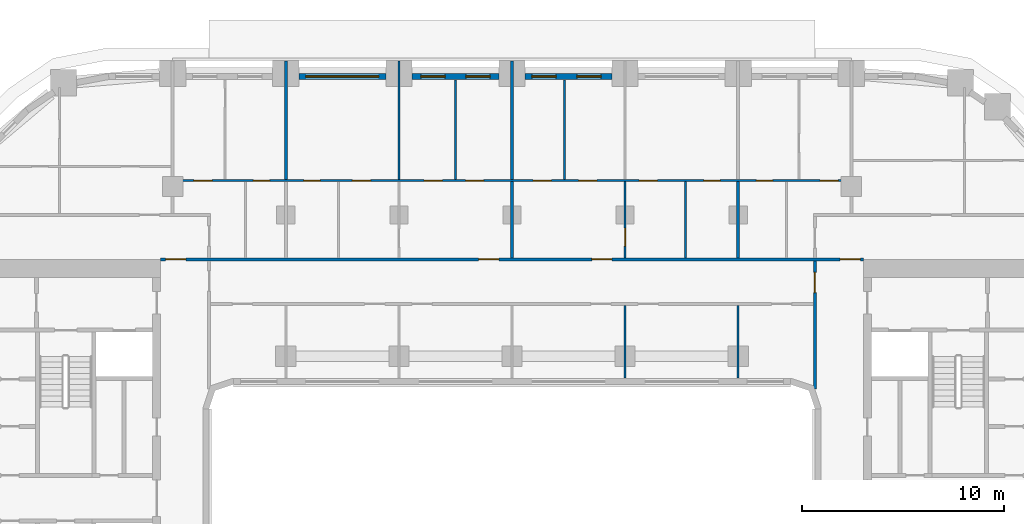
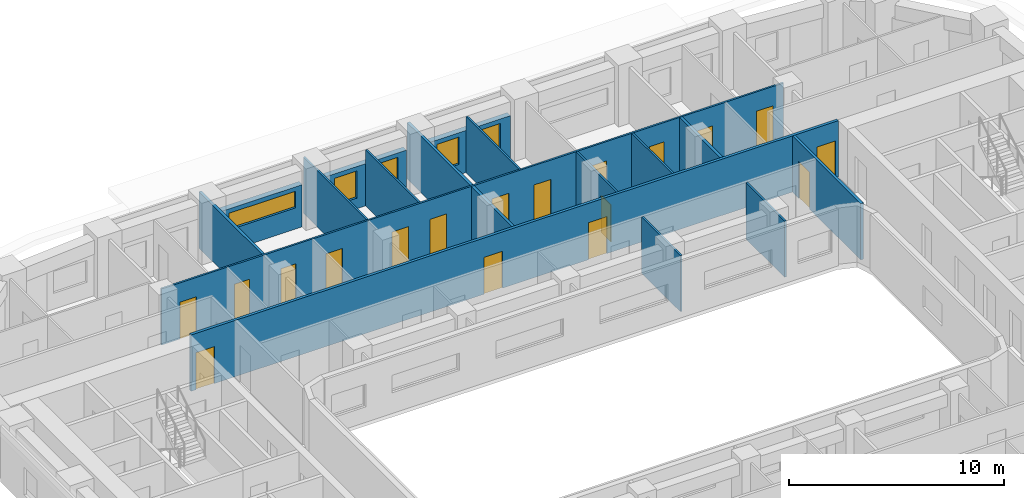
# One storey, part 9 of 23: 18 doors, 17 walls, 5 windows, 23 openings.
"""IFC4 building model written with IfcOpenShell, lengths in metres."""

from ifc_helpers import new_model, si_unit, direction, frame, frame_2d, origin, place, context, subcontext, project, spatial, rectangle, extrude, material, layer, layer_set, type_object, element, fill, save


model = new_model("IFC4")

# Units and contexts
model_context = context("Model", 3, precision=1e-05, world=origin(), true_north=direction((0.0, 1.0)))
body_context = subcontext(model_context, "Body", "Model", "MODEL_VIEW")
ifc_project = project(units=[si_unit("LENGTHUNIT", "METRE"), si_unit("AREAUNIT", "SQUARE_METRE"), si_unit("VOLUMEUNIT", "CUBIC_METRE"), si_unit("PLANEANGLEUNIT", "RADIAN"), si_unit("MASSUNIT", "GRAM", prefix="KILO")], contexts=[model_context])

# Site, building, storey
site_placement = place(None, origin())
site = spatial("IfcSite", under=ifc_project, at=site_placement, CompositionType="ELEMENT")
building_placement = place(site_placement, origin())
building = spatial("IfcBuilding", under=site, at=building_placement, Name="Kiln Ring Residences", CompositionType="ELEMENT")
storey_placement = place(building_placement, frame((0.0, 0.0, 86.800048828125)))
storey = spatial("IfcBuildingStorey", under=building, at=storey_placement, Name="L21", CompositionType="ELEMENT", Elevation=86.800048828125)

# Wall, openings, windows
ifc_material_1 = material(Name="Brick masonry, dark clay brick", Category="masonry")
ifc_layer_1 = layer(ifc_material_1, 0.300048828125)
ifc_layer_set_1 = layer_set([ifc_layer_1], Name="EW-300 BRICK WALL")
wall_type_1 = type_object("IfcWallType", Name="EW-300 BRICK WALL", PredefinedType="SOLIDWALL", material=ifc_layer_set_1)
wall_1_placement = place(storey_placement, frame((4.949951171875, 22.25, 0.0), z_axis=(0.0, 0.0, 1.0), x_axis=(-1.0, 0.0, 0.0)))
wall_1 = element("IfcWall", 1, at=wall_1_placement, inside=storey, type_object=wall_type_1, Name="Facade wall L21 31", PredefinedType="SOLIDWALL", context=body_context, shape_type="SweptSolid", body=[
    extrude(rectangle(XDim=4.300048828125, YDim=0.300048828125, at=frame_2d((2.14990234375, 0.0))), origin(), (0.0, 0.0, 1.0), 2.39990234375),
])
opening_1_placement = place(wall_1_placement, frame((0.53759765625, 0.0, 0.60009765625)))
opening_1 = element("IfcOpeningElement", 2, at=opening_1_placement, cuts=wall_1, Name="Opening W1", PredefinedType="OPENING", context=body_context, shape_type="SweptSolid", body=[
    extrude(rectangle(XDim=1.199951171875, YDim=1.550048828125, at=frame_2d((0.60009765625, 0.77490234375))), frame((0.0, 0.159912109375, 0.0), z_axis=(0.0, -1.0, 0.0), x_axis=(1.0, 0.0, 0.0)), (0.0, 0.0, 1.0), 0.320068359375),
])
opening_2_placement = place(wall_1_placement, frame((2.762451171875, 0.0, 0.60009765625)))
opening_2 = element("IfcOpeningElement", 3, at=opening_2_placement, cuts=wall_1, Name="Opening W1", PredefinedType="OPENING", context=body_context, shape_type="SweptSolid", body=[
    extrude(rectangle(XDim=1.199951171875, YDim=1.550048828125, at=frame_2d((0.60009765625, 0.77490234375))), frame((0.0, 0.159912109375, 0.0), z_axis=(0.0, -1.0, 0.0), x_axis=(1.0, 0.0, 0.0)), (0.0, 0.0, 1.0), 0.320068359375),
])
ifc_material_2 = material(Name="Aluminium frame with double glazing", Category="aluminium")
window_type_1 = type_object("IfcWindowType", Name="WINDOW 1200 x 1550", PartitioningType="SINGLE_PANEL", PredefinedType="WINDOW", material=ifc_material_2)
window_1_placement = place(opening_1_placement, origin())
window_1 = element("IfcWindow", 4, at=window_1_placement, inside=storey, type_object=window_type_1, Name="Window L21 20", OverallHeight=1.550048828125, OverallWidth=1.199951171875, PartitioningType="SINGLE_PANEL", PredefinedType="WINDOW", context=body_context, shape_type="SweptSolid", body=[
    extrude(rectangle(XDim=1.199951171875, YDim=1.550048828125, at=frame_2d((0.60009765625, 0.77490234375))), frame((0.0, 0.030029296875, 0.0), z_axis=(0.0, -1.0, 0.0), x_axis=(1.0, 0.0, 0.0)), (0.0, 0.0, 1.0), 0.06005859375),
])
fill(opening_1, window_1)
window_2_placement = place(opening_2_placement, origin())
window_2 = element("IfcWindow", 5, at=window_2_placement, inside=storey, type_object=window_type_1, Name="Window L21 21", OverallHeight=1.550048828125, OverallWidth=1.199951171875, PartitioningType="SINGLE_PANEL", PredefinedType="WINDOW", context=body_context, shape_type="SweptSolid", body=[
    extrude(rectangle(XDim=1.199951171875, YDim=1.550048828125, at=frame_2d((0.60009765625, 0.77490234375))), frame((0.0, 0.030029296875, 0.0), z_axis=(0.0, -1.0, 0.0), x_axis=(1.0, 0.0, 0.0)), (0.0, 0.0, 1.0), 0.06005859375),
])
fill(opening_2, window_2)

wall_2_placement = place(storey_placement, frame((-0.64990234375, 22.25, 0.0), z_axis=(0.0, 0.0, 1.0), x_axis=(-1.0, 0.0, 0.0)))
wall_2 = element("IfcWall", 6, at=wall_2_placement, inside=storey, type_object=wall_type_1, Name="Facade wall L21 32", PredefinedType="SOLIDWALL", context=body_context, shape_type="SweptSolid", body=[
    extrude(rectangle(XDim=4.300048828125, YDim=0.300048828125, at=frame_2d((2.14990234375, 0.0))), origin(), (0.0, 0.0, 1.0), 2.39990234375),
])
opening_3_placement = place(wall_2_placement, frame((0.4375, 0.0, 0.60009765625)))
opening_3 = element("IfcOpeningElement", 7, at=opening_3_placement, cuts=wall_2, Name="Opening W1", PredefinedType="OPENING", context=body_context, shape_type="SweptSolid", body=[
    extrude(rectangle(XDim=1.199951171875, YDim=1.550048828125, at=frame_2d((0.60009765625, 0.77490234375))), frame((0.0, 0.159912109375, 0.0), z_axis=(0.0, -1.0, 0.0), x_axis=(1.0, 0.0, 0.0)), (0.0, 0.0, 1.0), 0.320068359375),
])
opening_4_placement = place(wall_2_placement, frame((2.66259765625, 0.0, 0.60009765625)))
opening_4 = element("IfcOpeningElement", 8, at=opening_4_placement, cuts=wall_2, Name="Opening W1", PredefinedType="OPENING", context=body_context, shape_type="SweptSolid", body=[
    extrude(rectangle(XDim=1.199951171875, YDim=1.550048828125, at=frame_2d((0.60009765625, 0.77490234375))), frame((0.0, 0.159912109375, 0.0), z_axis=(0.0, -1.0, 0.0), x_axis=(1.0, 0.0, 0.0)), (0.0, 0.0, 1.0), 0.320068359375),
])
window_3_placement = place(opening_3_placement, origin())
window_3 = element("IfcWindow", 9, at=window_3_placement, inside=storey, type_object=window_type_1, Name="Window L21 22", OverallHeight=1.550048828125, OverallWidth=1.199951171875, PartitioningType="SINGLE_PANEL", PredefinedType="WINDOW", context=body_context, shape_type="SweptSolid", body=[
    extrude(rectangle(XDim=1.199951171875, YDim=1.550048828125, at=frame_2d((0.60009765625, 0.77490234375))), frame((0.0, 0.030029296875, 0.0), z_axis=(0.0, -1.0, 0.0), x_axis=(1.0, 0.0, 0.0)), (0.0, 0.0, 1.0), 0.06005859375),
])
fill(opening_3, window_3)
window_4_placement = place(opening_4_placement, origin())
window_4 = element("IfcWindow", 10, at=window_4_placement, inside=storey, type_object=window_type_1, Name="Window L21 23", OverallHeight=1.550048828125, OverallWidth=1.199951171875, PartitioningType="SINGLE_PANEL", PredefinedType="WINDOW", context=body_context, shape_type="SweptSolid", body=[
    extrude(rectangle(XDim=1.199951171875, YDim=1.550048828125, at=frame_2d((0.60009765625, 0.77490234375))), frame((0.0, 0.030029296875, 0.0), z_axis=(0.0, -1.0, 0.0), x_axis=(1.0, 0.0, 0.0)), (0.0, 0.0, 1.0), 0.06005859375),
])
fill(opening_4, window_4)

# Wall, opening, window
wall_3_placement = place(storey_placement, frame((-6.25, 22.25, 0.0), z_axis=(0.0, 0.0, 1.0), x_axis=(-1.0, 0.0, 0.0)))
wall_3 = element("IfcWall", 11, at=wall_3_placement, inside=storey, type_object=wall_type_1, Name="Facade wall L21 33", PredefinedType="SOLIDWALL", context=body_context, shape_type="SweptSolid", body=[
    extrude(rectangle(XDim=4.300048828125, YDim=0.300048828125, at=frame_2d((2.14990234375, 0.0))), origin(), (0.0, 0.0, 1.0), 2.39990234375),
])
opening_5_placement = place(wall_3_placement, frame((0.35009765625, 0.0, 1.199951171875)))
opening_5 = element("IfcOpeningElement", 12, at=opening_5_placement, cuts=wall_3, Name="Opening W4", PredefinedType="OPENING", context=body_context, shape_type="SweptSolid", body=[
    extrude(rectangle(XDim=3.60009765625, YDim=0.949951171875, at=frame_2d((1.800048828125, 0.47509765625))), frame((0.0, 0.159912109375, 0.0), z_axis=(0.0, -1.0, 0.0), x_axis=(1.0, 0.0, 0.0)), (0.0, 0.0, 1.0), 0.320068359375),
])
ifc_material_3 = material(Name="Aluminium frame with double glazing", Category="aluminium")
window_type_2 = type_object("IfcWindowType", Name="WINDOW 3600 x 950", PartitioningType="SINGLE_PANEL", PredefinedType="WINDOW", material=ifc_material_3)
window_5_placement = place(opening_5_placement, origin())
window_5 = element("IfcWindow", 13, at=window_5_placement, inside=storey, type_object=window_type_2, Name="Window L21 24", OverallHeight=0.949951171875, OverallWidth=3.60009765625, PartitioningType="SINGLE_PANEL", PredefinedType="WINDOW", context=body_context, shape_type="SweptSolid", body=[
    extrude(rectangle(XDim=3.60009765625, YDim=0.949951171875, at=frame_2d((1.800048828125, 0.47509765625))), frame((0.0, 0.030029296875, 0.0), z_axis=(0.0, -1.0, 0.0), x_axis=(1.0, 0.0, 0.0)), (0.0, 0.0, 1.0), 0.06005859375),
])
fill(opening_5, window_5)

# Wall, openings, doors
ifc_material_4 = material(Name="Gypsum board on steel studs", Category="steel")
ifc_layer_2 = layer(ifc_material_4, 0.10009765625)
ifc_layer_set_2 = layer_set([ifc_layer_2], Name="PARTITION-100")
wall_type_2 = type_object("IfcWallType", Name="PARTITION-100", PredefinedType="PARTITIONING", material=ifc_layer_set_2)
wall_4_placement = place(storey_placement, frame((-16.72509765625, 17.10009765625, 0.0), z_axis=(0.0, 0.0, 1.0), x_axis=(1.0, 0.0, 0.0)))
wall_4 = element("IfcWall", 14, at=wall_4_placement, inside=storey, type_object=wall_type_2, Name="Partition 011", PredefinedType="PARTITIONING", context=body_context, shape_type="SweptSolid", body=[
    extrude(rectangle(XDim=33.4501953125, YDim=0.10009765625, at=frame_2d((16.72509765625, 0.0))), origin(), (0.0, 0.0, 1.0), 3.199951171875),
])
opening_6_placement = place(wall_4_placement, frame((3.925048828125, 0.0, 0.0)))
opening_6 = element("IfcOpeningElement", 15, at=opening_6_placement, cuts=wall_4, Name="Opening L21-D016", PredefinedType="OPENING", context=body_context, shape_type="SweptSolid", body=[
    extrude(rectangle(XDim=0.800048828125, YDim=2.10009765625, at=frame_2d((0.39990234375, 1.050048828125))), frame((0.0, 0.06005859375, 0.0), z_axis=(0.0, -1.0, 0.0), x_axis=(1.0, 0.0, 0.0)), (0.0, 0.0, 1.0), 0.1201171875),
])
opening_7_placement = place(wall_4_placement, frame((0.97509765625, 0.0, 0.0)))
opening_7 = element("IfcOpeningElement", 16, at=opening_7_placement, cuts=wall_4, Name="Opening L21-D017", PredefinedType="OPENING", context=body_context, shape_type="SweptSolid", body=[
    extrude(rectangle(XDim=0.89990234375, YDim=2.10009765625, at=frame_2d((0.449951171875, 1.050048828125))), frame((0.0, 0.06005859375, 0.0), z_axis=(0.0, -1.0, 0.0), x_axis=(1.0, 0.0, 0.0)), (0.0, 0.0, 1.0), 0.1201171875),
])
opening_8_placement = place(wall_4_placement, frame((6.425048828125, 0.0, 0.0)))
opening_8 = element("IfcOpeningElement", 17, at=opening_8_placement, cuts=wall_4, Name="Opening L21-D021", PredefinedType="OPENING", context=body_context, shape_type="SweptSolid", body=[
    extrude(rectangle(XDim=0.800048828125, YDim=2.10009765625, at=frame_2d((0.39990234375, 1.050048828125))), frame((0.0, 0.06005859375, 0.0), z_axis=(0.0, -1.0, 0.0), x_axis=(1.0, 0.0, 0.0)), (0.0, 0.0, 1.0), 0.1201171875),
])
opening_9_placement = place(wall_4_placement, frame((8.824951171875, 0.0, 0.0)))
opening_9 = element("IfcOpeningElement", 18, at=opening_9_placement, cuts=wall_4, Name="Opening L21-D022", PredefinedType="OPENING", context=body_context, shape_type="SweptSolid", body=[
    extrude(rectangle(XDim=0.89990234375, YDim=2.10009765625, at=frame_2d((0.449951171875, 1.050048828125))), frame((0.0, 0.06005859375, 0.0), z_axis=(0.0, -1.0, 0.0), x_axis=(1.0, 0.0, 0.0)), (0.0, 0.0, 1.0), 0.1201171875),
])
opening_10_placement = place(wall_4_placement, frame((12.375, 0.0, 0.0)))
opening_10 = element("IfcOpeningElement", 19, at=opening_10_placement, cuts=wall_4, Name="Opening L21-D023", PredefinedType="OPENING", context=body_context, shape_type="SweptSolid", body=[
    extrude(rectangle(XDim=0.89990234375, YDim=2.10009765625, at=frame_2d((0.449951171875, 1.050048828125))), frame((0.0, 0.06005859375, 0.0), z_axis=(0.0, -1.0, 0.0), x_axis=(1.0, 0.0, 0.0)), (0.0, 0.0, 1.0), 0.1201171875),
])
opening_11_placement = place(wall_4_placement, frame((14.425048828125, 0.0, 0.0)))
opening_11 = element("IfcOpeningElement", 20, at=opening_11_placement, cuts=wall_4, Name="Opening L21-D024", PredefinedType="OPENING", context=body_context, shape_type="SweptSolid", body=[
    extrude(rectangle(XDim=0.89990234375, YDim=2.10009765625, at=frame_2d((0.449951171875, 1.050048828125))), frame((0.0, 0.06005859375, 0.0), z_axis=(0.0, -1.0, 0.0), x_axis=(1.0, 0.0, 0.0)), (0.0, 0.0, 1.0), 0.1201171875),
])
opening_12_placement = place(wall_4_placement, frame((26.22509765625, 0.0, 0.0)))
opening_12 = element("IfcOpeningElement", 21, at=opening_12_placement, cuts=wall_4, Name="Opening L21-D027", PredefinedType="OPENING", context=body_context, shape_type="SweptSolid", body=[
    extrude(rectangle(XDim=0.800048828125, YDim=2.10009765625, at=frame_2d((0.39990234375, 1.050048828125))), frame((0.0, 0.06005859375, 0.0), z_axis=(0.0, -1.0, 0.0), x_axis=(1.0, 0.0, 0.0)), (0.0, 0.0, 1.0), 0.1201171875),
])
opening_13_placement = place(wall_4_placement, frame((23.02490234375, 0.0, 0.0)))
opening_13 = element("IfcOpeningElement", 22, at=opening_13_placement, cuts=wall_4, Name="Opening L21-D028", PredefinedType="OPENING", context=body_context, shape_type="SweptSolid", body=[
    extrude(rectangle(XDim=0.89990234375, YDim=2.10009765625, at=frame_2d((0.449951171875, 1.050048828125))), frame((0.0, 0.06005859375, 0.0), z_axis=(0.0, -1.0, 0.0), x_axis=(1.0, 0.0, 0.0)), (0.0, 0.0, 1.0), 0.1201171875),
])
opening_14_placement = place(wall_4_placement, frame((17.77490234375, 0.0, 0.0)))
opening_14 = element("IfcOpeningElement", 23, at=opening_14_placement, cuts=wall_4, Name="Opening L21-D029", PredefinedType="OPENING", context=body_context, shape_type="SweptSolid", body=[
    extrude(rectangle(XDim=0.89990234375, YDim=2.10009765625, at=frame_2d((0.449951171875, 1.050048828125))), frame((0.0, 0.06005859375, 0.0), z_axis=(0.0, -1.0, 0.0), x_axis=(1.0, 0.0, 0.0)), (0.0, 0.0, 1.0), 0.1201171875),
])
opening_15_placement = place(wall_4_placement, frame((20.02490234375, 0.0, 0.0)))
opening_15 = element("IfcOpeningElement", 24, at=opening_15_placement, cuts=wall_4, Name="Opening L21-D030", PredefinedType="OPENING", context=body_context, shape_type="SweptSolid", body=[
    extrude(rectangle(XDim=0.89990234375, YDim=2.10009765625, at=frame_2d((0.449951171875, 1.050048828125))), frame((0.0, 0.06005859375, 0.0), z_axis=(0.0, -1.0, 0.0), x_axis=(1.0, 0.0, 0.0)), (0.0, 0.0, 1.0), 0.1201171875),
])
opening_16_placement = place(wall_4_placement, frame((28.824951171875, 0.0, 0.0)))
opening_16 = element("IfcOpeningElement", 25, at=opening_16_placement, cuts=wall_4, Name="Opening L21-D032", PredefinedType="OPENING", context=body_context, shape_type="SweptSolid", body=[
    extrude(rectangle(XDim=0.800048828125, YDim=2.10009765625, at=frame_2d((0.39990234375, 1.050048828125))), frame((0.0, 0.06005859375, 0.0), z_axis=(0.0, -1.0, 0.0), x_axis=(1.0, 0.0, 0.0)), (0.0, 0.0, 1.0), 0.1201171875),
])
opening_17_placement = place(wall_4_placement, frame((31.97509765625, 0.0, 0.0)))
opening_17 = element("IfcOpeningElement", 26, at=opening_17_placement, cuts=wall_4, Name="Opening L21-D033", PredefinedType="OPENING", context=body_context, shape_type="SweptSolid", body=[
    extrude(rectangle(XDim=0.89990234375, YDim=2.10009765625, at=frame_2d((0.449951171875, 1.050048828125))), frame((0.0, 0.06005859375, 0.0), z_axis=(0.0, -1.0, 0.0), x_axis=(1.0, 0.0, 0.0)), (0.0, 0.0, 1.0), 0.1201171875),
])
ifc_material_5 = material(Name="Timber door leaf", Category="wood")
door_type_1 = type_object("IfcDoorType", Name="FLAT-DOOR-800-PL", OperationType="SINGLE_SWING_LEFT", PredefinedType="DOOR", material=ifc_material_5)
door_1_placement = place(opening_6_placement, origin())
door_1 = element("IfcDoor", 27, at=door_1_placement, inside=storey, type_object=door_type_1, Name="Door L21-D016", OperationType="SINGLE_SWING_LEFT", OverallHeight=2.10009765625, OverallWidth=0.800048828125, PredefinedType="DOOR", context=body_context, shape_type="SweptSolid", body=[
    extrude(rectangle(XDim=0.800048828125, YDim=2.10009765625, at=frame_2d((0.39990234375, 1.050048828125))), frame((0.0, 0.02490234375, 0.0), z_axis=(0.0, -1.0, 0.0), x_axis=(1.0, 0.0, 0.0)), (0.0, 0.0, 1.0), 0.050048828125),
])
fill(opening_6, door_1)
door_2_placement = place(opening_8_placement, origin())
door_2 = element("IfcDoor", 28, at=door_2_placement, inside=storey, type_object=door_type_1, Name="Door L21-D021", OperationType="SINGLE_SWING_LEFT", OverallHeight=2.10009765625, OverallWidth=0.800048828125, PredefinedType="DOOR", context=body_context, shape_type="SweptSolid", body=[
    extrude(rectangle(XDim=0.800048828125, YDim=2.10009765625, at=frame_2d((0.39990234375, 1.050048828125))), frame((0.0, 0.02490234375, 0.0), z_axis=(0.0, -1.0, 0.0), x_axis=(1.0, 0.0, 0.0)), (0.0, 0.0, 1.0), 0.050048828125),
])
fill(opening_8, door_2)
door_3_placement = place(opening_12_placement, origin())
door_3 = element("IfcDoor", 29, at=door_3_placement, inside=storey, type_object=door_type_1, Name="Door L21-D027", OperationType="SINGLE_SWING_LEFT", OverallHeight=2.10009765625, OverallWidth=0.800048828125, PredefinedType="DOOR", context=body_context, shape_type="SweptSolid", body=[
    extrude(rectangle(XDim=0.800048828125, YDim=2.10009765625, at=frame_2d((0.39990234375, 1.050048828125))), frame((0.0, 0.02490234375, 0.0), z_axis=(0.0, -1.0, 0.0), x_axis=(1.0, 0.0, 0.0)), (0.0, 0.0, 1.0), 0.050048828125),
])
fill(opening_12, door_3)
door_4_placement = place(opening_16_placement, origin())
door_4 = element("IfcDoor", 30, at=door_4_placement, inside=storey, type_object=door_type_1, Name="Door L21-D032", OperationType="SINGLE_SWING_RIGHT", OverallHeight=2.10009765625, OverallWidth=0.800048828125, PredefinedType="DOOR", context=body_context, shape_type="SweptSolid", body=[
    extrude(rectangle(XDim=0.800048828125, YDim=2.10009765625, at=frame_2d((0.39990234375, 1.050048828125))), frame((0.0, 0.02490234375, 0.0), z_axis=(0.0, -1.0, 0.0), x_axis=(1.0, 0.0, 0.0)), (0.0, 0.0, 1.0), 0.050048828125),
])
fill(opening_16, door_4)
ifc_material_6 = material(Name="Timber door leaf", Category="wood")
door_type_2 = type_object("IfcDoorType", Name="FLAT-DOOR-900-PL", OperationType="SINGLE_SWING_LEFT", PredefinedType="DOOR", material=ifc_material_6)
door_5_placement = place(opening_7_placement, origin())
door_5 = element("IfcDoor", 31, at=door_5_placement, inside=storey, type_object=door_type_2, Name="Door L21-D017", OperationType="SINGLE_SWING_LEFT", OverallHeight=2.10009765625, OverallWidth=0.89990234375, PredefinedType="DOOR", context=body_context, shape_type="SweptSolid", body=[
    extrude(rectangle(XDim=0.89990234375, YDim=2.10009765625, at=frame_2d((0.449951171875, 1.050048828125))), frame((0.0, 0.02490234375, 0.0), z_axis=(0.0, -1.0, 0.0), x_axis=(1.0, 0.0, 0.0)), (0.0, 0.0, 1.0), 0.050048828125),
])
fill(opening_7, door_5)
door_6_placement = place(opening_9_placement, origin())
door_6 = element("IfcDoor", 32, at=door_6_placement, inside=storey, type_object=door_type_2, Name="Door L21-D022", OperationType="SINGLE_SWING_RIGHT", OverallHeight=2.10009765625, OverallWidth=0.89990234375, PredefinedType="DOOR", context=body_context, shape_type="SweptSolid", body=[
    extrude(rectangle(XDim=0.89990234375, YDim=2.10009765625, at=frame_2d((0.449951171875, 1.050048828125))), frame((0.0, 0.02490234375, 0.0), z_axis=(0.0, -1.0, 0.0), x_axis=(1.0, 0.0, 0.0)), (0.0, 0.0, 1.0), 0.050048828125),
])
fill(opening_9, door_6)
door_7_placement = place(opening_10_placement, origin())
door_7 = element("IfcDoor", 33, at=door_7_placement, inside=storey, type_object=door_type_2, Name="Door L21-D023", OperationType="SINGLE_SWING_LEFT", OverallHeight=2.10009765625, OverallWidth=0.89990234375, PredefinedType="DOOR", context=body_context, shape_type="SweptSolid", body=[
    extrude(rectangle(XDim=0.89990234375, YDim=2.10009765625, at=frame_2d((0.449951171875, 1.050048828125))), frame((0.0, 0.02490234375, 0.0), z_axis=(0.0, -1.0, 0.0), x_axis=(1.0, 0.0, 0.0)), (0.0, 0.0, 1.0), 0.050048828125),
])
fill(opening_10, door_7)
door_8_placement = place(opening_11_placement, origin())
door_8 = element("IfcDoor", 34, at=door_8_placement, inside=storey, type_object=door_type_2, Name="Door L21-D024", OperationType="SINGLE_SWING_RIGHT", OverallHeight=2.10009765625, OverallWidth=0.89990234375, PredefinedType="DOOR", context=body_context, shape_type="SweptSolid", body=[
    extrude(rectangle(XDim=0.89990234375, YDim=2.10009765625, at=frame_2d((0.449951171875, 1.050048828125))), frame((0.0, 0.02490234375, 0.0), z_axis=(0.0, -1.0, 0.0), x_axis=(1.0, 0.0, 0.0)), (0.0, 0.0, 1.0), 0.050048828125),
])
fill(opening_11, door_8)
door_9_placement = place(opening_13_placement, origin())
door_9 = element("IfcDoor", 35, at=door_9_placement, inside=storey, type_object=door_type_2, Name="Door L21-D028", OperationType="SINGLE_SWING_RIGHT", OverallHeight=2.10009765625, OverallWidth=0.89990234375, PredefinedType="DOOR", context=body_context, shape_type="SweptSolid", body=[
    extrude(rectangle(XDim=0.89990234375, YDim=2.10009765625, at=frame_2d((0.449951171875, 1.050048828125))), frame((0.0, 0.02490234375, 0.0), z_axis=(0.0, -1.0, 0.0), x_axis=(1.0, 0.0, 0.0)), (0.0, 0.0, 1.0), 0.050048828125),
])
fill(opening_13, door_9)
door_10_placement = place(opening_14_placement, origin())
door_10 = element("IfcDoor", 36, at=door_10_placement, inside=storey, type_object=door_type_2, Name="Door L21-D029", OperationType="SINGLE_SWING_LEFT", OverallHeight=2.10009765625, OverallWidth=0.89990234375, PredefinedType="DOOR", context=body_context, shape_type="SweptSolid", body=[
    extrude(rectangle(XDim=0.89990234375, YDim=2.10009765625, at=frame_2d((0.449951171875, 1.050048828125))), frame((0.0, 0.02490234375, 0.0), z_axis=(0.0, -1.0, 0.0), x_axis=(1.0, 0.0, 0.0)), (0.0, 0.0, 1.0), 0.050048828125),
])
fill(opening_14, door_10)
door_11_placement = place(opening_15_placement, origin())
door_11 = element("IfcDoor", 37, at=door_11_placement, inside=storey, type_object=door_type_2, Name="Door L21-D030", OperationType="SINGLE_SWING_RIGHT", OverallHeight=2.10009765625, OverallWidth=0.89990234375, PredefinedType="DOOR", context=body_context, shape_type="SweptSolid", body=[
    extrude(rectangle(XDim=0.89990234375, YDim=2.10009765625, at=frame_2d((0.449951171875, 1.050048828125))), frame((0.0, 0.02490234375, 0.0), z_axis=(0.0, -1.0, 0.0), x_axis=(1.0, 0.0, 0.0)), (0.0, 0.0, 1.0), 0.050048828125),
])
fill(opening_15, door_11)
door_12_placement = place(opening_17_placement, origin())
door_12 = element("IfcDoor", 38, at=door_12_placement, inside=storey, type_object=door_type_2, Name="Door L21-D033", OperationType="SINGLE_SWING_LEFT", OverallHeight=2.10009765625, OverallWidth=0.89990234375, PredefinedType="DOOR", context=body_context, shape_type="SweptSolid", body=[
    extrude(rectangle(XDim=0.89990234375, YDim=2.10009765625, at=frame_2d((0.449951171875, 1.050048828125))), frame((0.0, 0.02490234375, 0.0), z_axis=(0.0, -1.0, 0.0), x_axis=(1.0, 0.0, 0.0)), (0.0, 0.0, 1.0), 0.050048828125),
])
fill(opening_17, door_12)

# Walls
wall_5_placement = place(storey_placement, frame((-5.60009765625, 17.14990234375, 0.0), z_axis=(0.0, 0.0, 1.0), x_axis=(0.0, 1.0, 0.0)))
element("IfcWall", 39, at=wall_5_placement, inside=storey, type_object=wall_type_2, Name="Partition 040", PredefinedType="PARTITIONING", context=body_context, shape_type="SweptSolid", body=[
    extrude(rectangle(XDim=5.880126953125, YDim=0.10009765625, at=frame_2d((2.93994140625, 0.0))), origin(), (0.0, 0.0, 1.0), 3.199951171875),
])
for number, where, z_axis, x_axis, name in (
    (40, (-2.800048828125, 17.14990234375, 0.0), (0.0, 0.0, 1.0), (0.0, 1.0, 0.0), "Partition 045"),
    (41, (2.60009765625, 17.14990234375, 0.0), (0.0, 0.0, 1.0), (0.0, 1.0, 0.0), "Partition 053"),
):
    element("IfcWall", number, at=place(storey_placement, frame(where, z_axis=z_axis, x_axis=x_axis)), inside=storey, type_object=wall_type_2, Name=name, PredefinedType="PARTITIONING", context=body_context, shape_type="SweptSolid", body=[
        extrude(rectangle(XDim=4.93017578125, YDim=0.10009765625, at=frame_2d((2.465087890625, 0.0))), origin(), (0.0, 0.0, 1.0), 3.199951171875),
    ])
wall_6_placement = place(storey_placement, frame((5.60009765625, 7.320068359375, 0.0), z_axis=(0.0, 0.0, 1.0), x_axis=(0.0, 1.0, 0.0)))
element("IfcWall", 42, at=wall_6_placement, inside=storey, type_object=wall_type_2, Name="Partition 056", PredefinedType="PARTITIONING", context=body_context, shape_type="SweptSolid", body=[
    extrude(rectangle(XDim=3.60498046875, YDim=0.10009765625, at=frame_2d((1.802490234375, 0.0))), origin(), (0.0, 0.0, 1.0), 3.199951171875),
])

# Wall, opening, door
wall_7_placement = place(storey_placement, frame((5.60009765625, 13.27490234375, 0.0), z_axis=(0.0, 0.0, 1.0), x_axis=(0.0, 1.0, 0.0)))
wall_7 = element("IfcWall", 43, at=wall_7_placement, inside=storey, type_object=wall_type_2, Name="Partition 057", PredefinedType="PARTITIONING", context=body_context, shape_type="SweptSolid", body=[
    extrude(rectangle(XDim=3.775146484375, YDim=0.10009765625, at=frame_2d((1.8876953125, 0.0))), origin(), (0.0, 0.0, 1.0), 3.199951171875),
])
opening_18_placement = place(wall_7_placement, frame((0.575927734375, 0.0, 0.0)))
opening_18 = element("IfcOpeningElement", 44, at=opening_18_placement, cuts=wall_7, Name="Opening L21-D026", PredefinedType="OPENING", context=body_context, shape_type="SweptSolid", body=[
    extrude(rectangle(XDim=0.89990234375, YDim=2.10009765625, at=frame_2d((0.449951171875, 1.050048828125))), frame((0.0, 0.06005859375, 0.0), z_axis=(0.0, -1.0, 0.0), x_axis=(1.0, 0.0, 0.0)), (0.0, 0.0, 1.0), 0.1201171875),
])
door_13_placement = place(opening_18_placement, origin())
door_13 = element("IfcDoor", 45, at=door_13_placement, inside=storey, type_object=door_type_2, Name="Door L21-D026", OperationType="SINGLE_SWING_LEFT", OverallHeight=2.10009765625, OverallWidth=0.89990234375, PredefinedType="DOOR", context=body_context, shape_type="SweptSolid", body=[
    extrude(rectangle(XDim=0.89990234375, YDim=2.10009765625, at=frame_2d((0.449951171875, 1.050048828125))), frame((0.0, 0.02490234375, 0.0), z_axis=(0.0, -1.0, 0.0), x_axis=(1.0, 0.0, 0.0)), (0.0, 0.0, 1.0), 0.050048828125),
])
fill(opening_18, door_13)

# Walls
wall_8_placement = place(storey_placement, frame((8.60009765625, 13.27490234375, 0.0), z_axis=(0.0, 0.0, 1.0), x_axis=(0.0, 1.0, 0.0)))
element("IfcWall", 46, at=wall_8_placement, inside=storey, type_object=wall_type_2, Name="Partition 063", PredefinedType="PARTITIONING", context=body_context, shape_type="SweptSolid", body=[
    extrude(rectangle(XDim=3.775146484375, YDim=0.10009765625, at=frame_2d((1.8876953125, 0.0))), origin(), (0.0, 0.0, 1.0), 3.199951171875),
])
wall_9_placement = place(storey_placement, frame((11.199951171875, 7.320068359375, 0.0), z_axis=(0.0, 0.0, 1.0), x_axis=(0.0, 1.0, 0.0)))
element("IfcWall", 47, at=wall_9_placement, inside=storey, type_object=wall_type_2, Name="Partition 067", PredefinedType="PARTITIONING", context=body_context, shape_type="SweptSolid", body=[
    extrude(rectangle(XDim=3.60498046875, YDim=0.10009765625, at=frame_2d((1.802490234375, 0.0))), origin(), (0.0, 0.0, 1.0), 3.199951171875),
])

# Wall, openings, doors
ifc_material_7 = material(Name="Brick masonry partition", Category="masonry")
ifc_layer_3 = layer(ifc_material_7, 0.14990234375)
ifc_layer_set_3 = layer_set([ifc_layer_3], Name="PARTITION-150-ei60")
wall_type_3 = type_object("IfcWallType", Name="PARTITION-150-ei60", PredefinedType="PARTITIONING", material=ifc_layer_set_3)
wall_10_placement = place(storey_placement, frame((-17.39990234375, 13.199951171875, 0.0), z_axis=(0.0, 0.0, 1.0), x_axis=(1.0, 0.0, 0.0)))
wall_10 = element("IfcWall", 48, at=wall_10_placement, inside=storey, type_object=wall_type_3, Name="Partition 008", PredefinedType="PARTITIONING", context=body_context, shape_type="SweptSolid", body=[
    extrude(rectangle(XDim=34.7998046875, YDim=0.14990234375, at=frame_2d((17.39990234375, 0.0))), origin(), (0.0, 0.0, 1.0), 3.199951171875),
])
opening_19_placement = place(wall_10_placement, frame((0.25, 0.0, 0.0)))
opening_19 = element("IfcOpeningElement", 49, at=opening_19_placement, cuts=wall_10, Name="Opening L21-D003", PredefinedType="OPENING", context=body_context, shape_type="SweptSolid", body=[
    extrude(rectangle(XDim=1.0, YDim=2.10009765625, at=frame_2d((0.5, 1.050048828125))), frame((0.0, 0.0849609375, 0.0), z_axis=(0.0, -1.0, 0.0), x_axis=(1.0, 0.0, 0.0)), (0.0, 0.0, 1.0), 0.169921875),
])
opening_20_placement = place(wall_10_placement, frame((33.64990234375, 0.0, 0.0)))
opening_20 = element("IfcOpeningElement", 50, at=opening_20_placement, cuts=wall_10, Name="Opening L21-D004", PredefinedType="OPENING", context=body_context, shape_type="SweptSolid", body=[
    extrude(rectangle(XDim=1.0, YDim=2.10009765625, at=frame_2d((0.5, 1.050048828125))), frame((0.0, 0.0849609375, 0.0), z_axis=(0.0, -1.0, 0.0), x_axis=(1.0, 0.0, 0.0)), (0.0, 0.0, 1.0), 0.169921875),
])
opening_21_placement = place(wall_10_placement, frame((15.75, 0.0, 0.0)))
opening_21 = element("IfcOpeningElement", 51, at=opening_21_placement, cuts=wall_10, Name="Opening L21-D019", PredefinedType="OPENING", context=body_context, shape_type="SweptSolid", body=[
    extrude(rectangle(XDim=1.0, YDim=2.10009765625, at=frame_2d((0.5, 1.050048828125))), frame((0.0, 0.0849609375, 0.0), z_axis=(0.0, -1.0, 0.0), x_axis=(1.0, 0.0, 0.0)), (0.0, 0.0, 1.0), 0.169921875),
])
opening_22_placement = place(wall_10_placement, frame((21.35009765625, 0.0, 0.0)))
opening_22 = element("IfcOpeningElement", 52, at=opening_22_placement, cuts=wall_10, Name="Opening L21-D025", PredefinedType="OPENING", context=body_context, shape_type="SweptSolid", body=[
    extrude(rectangle(XDim=1.0, YDim=2.10009765625, at=frame_2d((0.5, 1.050048828125))), frame((0.0, 0.0849609375, 0.0), z_axis=(0.0, -1.0, 0.0), x_axis=(1.0, 0.0, 0.0)), (0.0, 0.0, 1.0), 0.169921875),
])
ifc_material_8 = material(Name="Steel faced fire door leaf", Category="steel")
door_type_3 = type_object("IfcDoorType", Name="FLAT-DOOR-1000-FR", OperationType="SINGLE_SWING_LEFT", PredefinedType="DOOR", material=ifc_material_8)
door_14_placement = place(opening_19_placement, origin())
door_14 = element("IfcDoor", 53, at=door_14_placement, inside=storey, type_object=door_type_3, Name="Door L21-D003", OperationType="SINGLE_SWING_LEFT", OverallHeight=2.10009765625, OverallWidth=1.0, PredefinedType="DOOR", context=body_context, shape_type="SweptSolid", body=[
    extrude(rectangle(XDim=1.0, YDim=2.10009765625, at=frame_2d((0.5, 1.050048828125))), frame((0.0, 0.02490234375, 0.0), z_axis=(0.0, -1.0, 0.0), x_axis=(1.0, 0.0, 0.0)), (0.0, 0.0, 1.0), 0.050048828125),
])
fill(opening_19, door_14)
door_15_placement = place(opening_20_placement, origin())
door_15 = element("IfcDoor", 54, at=door_15_placement, inside=storey, type_object=door_type_3, Name="Door L21-D004", OperationType="SINGLE_SWING_RIGHT", OverallHeight=2.10009765625, OverallWidth=1.0, PredefinedType="DOOR", context=body_context, shape_type="SweptSolid", body=[
    extrude(rectangle(XDim=1.0, YDim=2.10009765625, at=frame_2d((0.5, 1.050048828125))), frame((0.0, 0.02490234375, 0.0), z_axis=(0.0, -1.0, 0.0), x_axis=(1.0, 0.0, 0.0)), (0.0, 0.0, 1.0), 0.050048828125),
])
fill(opening_20, door_15)
door_16_placement = place(opening_21_placement, origin())
door_16 = element("IfcDoor", 55, at=door_16_placement, inside=storey, type_object=door_type_3, Name="Door L21-D019", OperationType="SINGLE_SWING_LEFT", OverallHeight=2.10009765625, OverallWidth=1.0, PredefinedType="DOOR", context=body_context, shape_type="SweptSolid", body=[
    extrude(rectangle(XDim=1.0, YDim=2.10009765625, at=frame_2d((0.5, 1.050048828125))), frame((0.0, 0.02490234375, 0.0), z_axis=(0.0, -1.0, 0.0), x_axis=(1.0, 0.0, 0.0)), (0.0, 0.0, 1.0), 0.050048828125),
])
fill(opening_21, door_16)
door_17_placement = place(opening_22_placement, origin())
door_17 = element("IfcDoor", 56, at=door_17_placement, inside=storey, type_object=door_type_3, Name="Door L21-D025", OperationType="SINGLE_SWING_LEFT", OverallHeight=2.10009765625, OverallWidth=1.0, PredefinedType="DOOR", context=body_context, shape_type="SweptSolid", body=[
    extrude(rectangle(XDim=1.0, YDim=2.10009765625, at=frame_2d((0.5, 1.050048828125))), frame((0.0, 0.02490234375, 0.0), z_axis=(0.0, -1.0, 0.0), x_axis=(1.0, 0.0, 0.0)), (0.0, 0.0, 1.0), 0.050048828125),
])
fill(opening_22, door_17)

# Walls
wall_11_placement = place(storey_placement, frame((-11.199951171875, 17.14990234375, 0.0), z_axis=(0.0, 0.0, 1.0), x_axis=(0.0, 1.0, 0.0)))
element("IfcWall", 57, at=wall_11_placement, inside=storey, type_object=wall_type_3, Name="Partition 034", PredefinedType="PARTITIONING", context=body_context, shape_type="SweptSolid", body=[
    extrude(rectangle(XDim=5.880126953125, YDim=0.14990234375, at=frame_2d((2.93994140625, 0.0))), origin(), (0.0, 0.0, 1.0), 3.199951171875),
])
wall_12_placement = place(storey_placement, frame((0.0, 13.27490234375, 0.0), z_axis=(0.0, 0.0, 1.0), x_axis=(0.0, 1.0, 0.0)))
element("IfcWall", 58, at=wall_12_placement, inside=storey, type_object=wall_type_3, Name="Partition 051", PredefinedType="PARTITIONING", context=body_context, shape_type="SweptSolid", body=[
    extrude(rectangle(XDim=3.775146484375, YDim=0.14990234375, at=frame_2d((1.8876953125, 0.0))), origin(), (0.0, 0.0, 1.0), 3.199951171875),
])
wall_13_placement = place(storey_placement, frame((0.0, 17.14990234375, 0.0), z_axis=(0.0, 0.0, 1.0), x_axis=(0.0, 1.0, 0.0)))
element("IfcWall", 59, at=wall_13_placement, inside=storey, type_object=wall_type_3, Name="Partition 052", PredefinedType="PARTITIONING", context=body_context, shape_type="SweptSolid", body=[
    extrude(rectangle(XDim=5.880126953125, YDim=0.14990234375, at=frame_2d((2.93994140625, 0.0))), origin(), (0.0, 0.0, 1.0), 3.199951171875),
])
wall_14_placement = place(storey_placement, frame((11.199951171875, 13.27490234375, 0.0), z_axis=(0.0, 0.0, 1.0), x_axis=(0.0, 1.0, 0.0)))
element("IfcWall", 60, at=wall_14_placement, inside=storey, type_object=wall_type_3, Name="Partition 068", PredefinedType="PARTITIONING", context=body_context, shape_type="SweptSolid", body=[
    extrude(rectangle(XDim=3.775146484375, YDim=0.14990234375, at=frame_2d((1.8876953125, 0.0))), origin(), (0.0, 0.0, 1.0), 3.199951171875),
])

# Wall, opening, door
wall_15_placement = place(storey_placement, frame((15.0, 6.768798828125, 0.0), z_axis=(0.0, 0.0, 1.0), x_axis=(0.0, 1.0, 0.0)))
wall_15 = element("IfcWall", 61, at=wall_15_placement, inside=storey, type_object=wall_type_3, Name="Partition 076", PredefinedType="PARTITIONING", context=body_context, shape_type="SweptSolid", body=[
    extrude(rectangle(XDim=6.356201171875, YDim=0.14990234375, at=frame_2d((3.17822265625, 0.0))), origin(), (0.0, 0.0, 1.0), 3.199951171875),
])
opening_23_placement = place(wall_15_placement, frame((4.78125, 0.0, 0.0)))
opening_23 = element("IfcOpeningElement", 62, at=opening_23_placement, cuts=wall_15, Name="Opening L21-D002", PredefinedType="OPENING", context=body_context, shape_type="SweptSolid", body=[
    extrude(rectangle(XDim=1.0, YDim=2.10009765625, at=frame_2d((0.5, 1.050048828125))), frame((0.0, 0.0849609375, 0.0), z_axis=(0.0, -1.0, 0.0), x_axis=(1.0, 0.0, 0.0)), (0.0, 0.0, 1.0), 0.169921875),
])
door_18_placement = place(opening_23_placement, origin())
door_18 = element("IfcDoor", 63, at=door_18_placement, inside=storey, type_object=door_type_3, Name="Door L21-D002", OperationType="SINGLE_SWING_LEFT", OverallHeight=2.10009765625, OverallWidth=1.0, PredefinedType="DOOR", context=body_context, shape_type="SweptSolid", body=[
    extrude(rectangle(XDim=1.0, YDim=2.10009765625, at=frame_2d((0.5, 1.050048828125))), frame((0.0, 0.02490234375, 0.0), z_axis=(0.0, -1.0, 0.0), x_axis=(1.0, 0.0, 0.0)), (0.0, 0.0, 1.0), 0.050048828125),
])
fill(opening_23, door_18)

save(model, "model.ifc")
